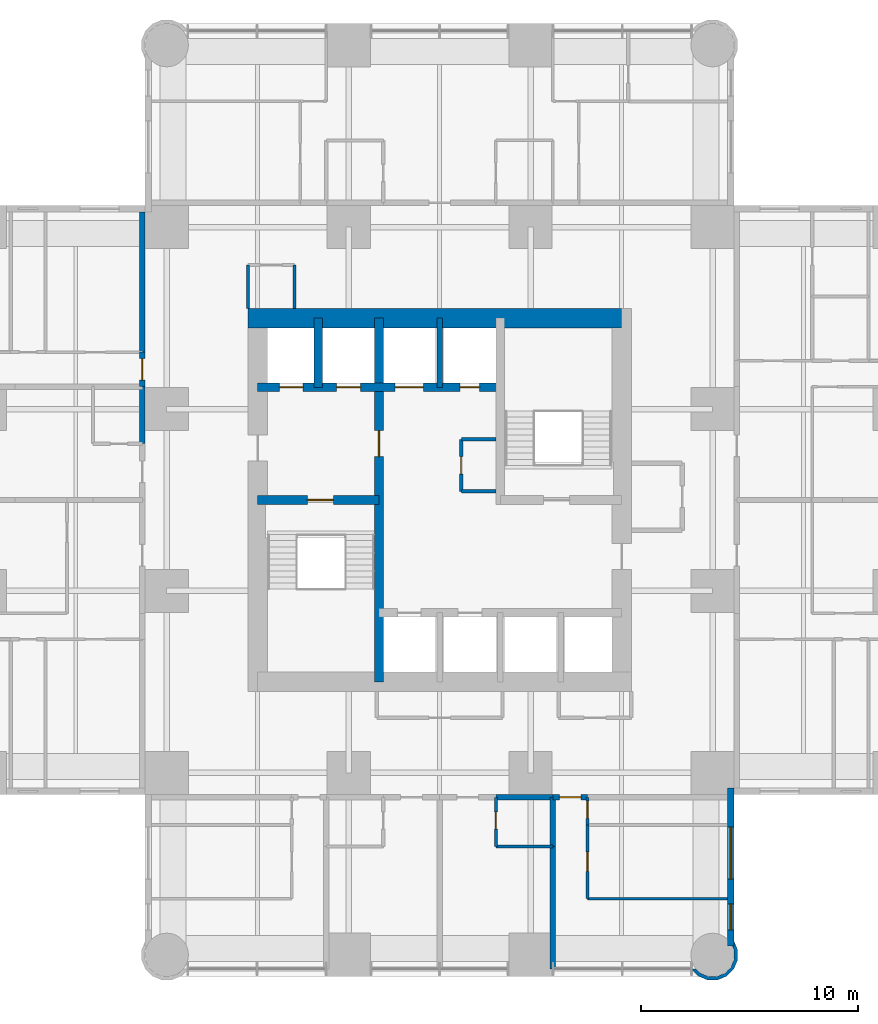
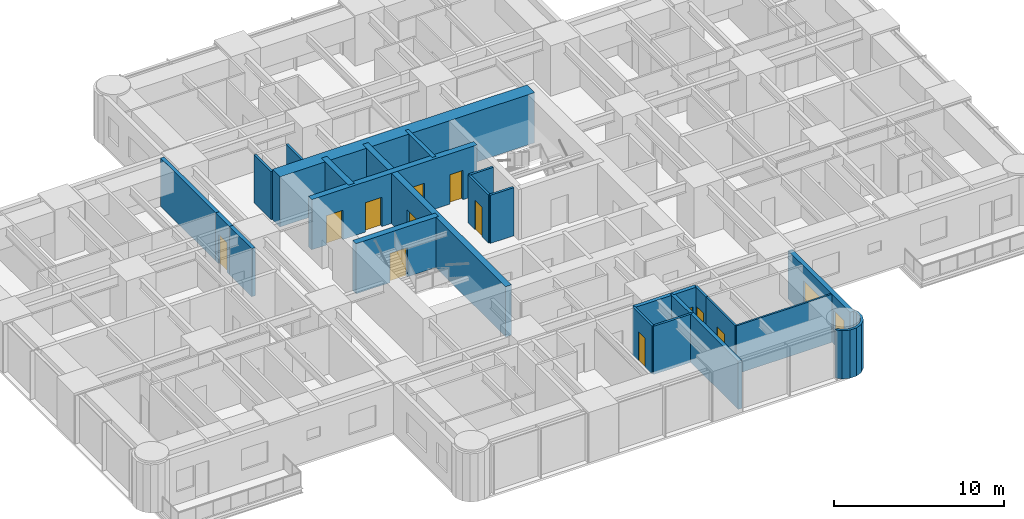
# One storey, part 8 of 14: 25 walls, 12 doors, 2 windows, 14 openings.
"""IFC4 building model written with IfcOpenShell, lengths in metres."""

from ifc_helpers import new_model, si_unit, direction, frame, frame_2d, origin, place, context, subcontext, project, spatial, polyline, rectangle, outline, extrude, material, layer, layer_set, type_object, element, fill, save


model = new_model("IFC4")

# Units and contexts
model_context = context("Model", 3, precision=1e-05, world=origin(), true_north=direction((0.0, 1.0)))
body_context = subcontext(model_context, "Body", "Model", "MODEL_VIEW")
ifc_project = project(units=[si_unit("LENGTHUNIT", "METRE"), si_unit("AREAUNIT", "SQUARE_METRE"), si_unit("VOLUMEUNIT", "CUBIC_METRE"), si_unit("PLANEANGLEUNIT", "RADIAN"), si_unit("MASSUNIT", "GRAM", prefix="KILO")], contexts=[model_context])

# Site, building, storey
site_placement = place(None, origin())
site = spatial("IfcSite", under=ifc_project, at=site_placement, CompositionType="ELEMENT")
building_placement = place(site_placement, origin())
building = spatial("IfcBuilding", under=site, at=building_placement, Name="Torre Alcanfor", CompositionType="ELEMENT")
storey_placement = place(building_placement, frame((0.0, 0.0, 112.5)))
storey = spatial("IfcBuildingStorey", under=building, at=storey_placement, Name="L28", CompositionType="ELEMENT", Elevation=112.5)

# Wall
ifc_material_1 = material(Name="Concrete block masonry, hollow blocks NMX-C-404 9 MPa", Category="masonry")
ifc_layer_1 = layer(ifc_material_1, 0.25)
ifc_layer_set_1 = layer_set([ifc_layer_1], Name="Apartment entrance wall 250 EI 60")
wall_type_1 = type_object("IfcWallType", Name="Apartment entrance wall 250 EI 60", PredefinedType="PARTITIONING", material=ifc_layer_set_1)
wall_1_placement = place(storey_placement, frame((34.62890625, 15.675048828125, 0.0), z_axis=(0.0, 0.0, 1.0), x_axis=(-1.0, 0.0, 0.0)))
element("IfcWall", 1, at=wall_1_placement, inside=storey, type_object=wall_type_1, Name="Partition L28-CORR / L28-S1A-BATH", PredefinedType="PARTITIONING", context=body_context, shape_type="SweptSolid", body=[
    extrude(rectangle(XDim=2.62890625, YDim=0.25, at=frame_2d((1.314453125, 0.0))), origin(), (0.0, 0.0, 1.0), 3.449951171875),
])

# Wall, opening, door
wall_2_placement = place(storey_placement, frame((36.22900390625, 15.675048828125, 0.0), z_axis=(0.0, 0.0, 1.0), x_axis=(-1.0, 0.0, 0.0)))
wall_2 = element("IfcWall", 2, at=wall_2_placement, inside=storey, type_object=wall_type_1, Name="Partition L28-CORR / L28-S1B-LIVING", PredefinedType="PARTITIONING", context=body_context, shape_type="SweptSolid", body=[
    extrude(rectangle(XDim=1.60009765625, YDim=0.25, at=frame_2d((0.800048828125, 0.0))), origin(), (0.0, 0.0, 1.0), 3.449951171875),
])
opening_1_placement = place(wall_2_placement, frame((0.300048828125, 0.0, 0.0)))
opening_1 = element("IfcOpeningElement", 3, at=opening_1_placement, cuts=wall_2, Name="Opening D-A1", PredefinedType="OPENING", context=body_context, shape_type="SweptSolid", body=[
    extrude(rectangle(XDim=1.0, YDim=2.10009765625, at=frame_2d((0.5, 1.050048828125))), frame((0.0, 0.135009765625, 0.0), z_axis=(0.0, -1.0, 0.0), x_axis=(1.0, 0.0, 0.0)), (0.0, 0.0, 1.0), 0.27001953125),
])
ifc_material_2 = material(Name="Galvanised steel sheet ASTM A653", Category="steel")
door_type_1 = type_object("IfcDoorType", Name="Apartment entrance door FD60 1000x2100", OperationType="SINGLE_SWING_LEFT", PredefinedType="DOOR", material=ifc_material_2)
door_1_placement = place(opening_1_placement, origin())
door_1 = element("IfcDoor", 4, at=door_1_placement, inside=storey, type_object=door_type_1, Name="Apartment entrance L28-S1B", OperationType="SINGLE_SWING_LEFT", OverallHeight=2.10009765625, OverallWidth=1.0, PredefinedType="DOOR", context=body_context, shape_type="SweptSolid", body=[
    extrude(rectangle(XDim=1.0, YDim=2.10009765625, at=frame_2d((0.5, 1.050048828125))), frame((0.0, 0.02490234375, 0.0), z_axis=(0.0, -1.0, 0.0), x_axis=(1.0, 0.0, 0.0)), (0.0, 0.0, 1.0), 0.050048828125),
])
fill(opening_1, door_1)

# Wall
wall_3_placement = place(storey_placement, frame((15.675048828125, 32.0, 0.0), z_axis=(0.0, 0.0, 1.0), x_axis=(0.0, 1.0, 0.0)))
element("IfcWall", 5, at=wall_3_placement, inside=storey, type_object=wall_type_1, Name="Partition L28-CORR / L28-W2A-BATH", PredefinedType="PARTITIONING", context=body_context, shape_type="SweptSolid", body=[
    extrude(rectangle(XDim=2.62890625, YDim=0.25, at=frame_2d((1.314453125, 0.0))), origin(), (0.0, 0.0, 1.0), 3.449951171875),
])

# Wall, opening, door
wall_4_placement = place(storey_placement, frame((15.675048828125, 34.62890625, 0.0), z_axis=(0.0, 0.0, 1.0), x_axis=(0.0, 1.0, 0.0)))
wall_4 = element("IfcWall", 6, at=wall_4_placement, inside=storey, type_object=wall_type_1, Name="Partition L28-CORR / L28-W2B-HALL", PredefinedType="PARTITIONING", context=body_context, shape_type="SweptSolid", body=[
    extrude(rectangle(XDim=1.60009765625, YDim=0.25, at=frame_2d((0.800048828125, 0.0))), origin(), (0.0, 0.0, 1.0), 3.449951171875),
])
opening_2_placement = place(wall_4_placement, frame((0.300048828125, 0.0, 0.0)))
opening_2 = element("IfcOpeningElement", 7, at=opening_2_placement, cuts=wall_4, Name="Opening D-A1", PredefinedType="OPENING", context=body_context, shape_type="SweptSolid", body=[
    extrude(rectangle(XDim=1.0, YDim=2.10009765625, at=frame_2d((0.5, 1.050048828125))), frame((0.0, 0.135009765625, 0.0), z_axis=(0.0, -1.0, 0.0), x_axis=(1.0, 0.0, 0.0)), (0.0, 0.0, 1.0), 0.27001953125),
])
door_2_placement = place(opening_2_placement, origin())
door_2 = element("IfcDoor", 8, at=door_2_placement, inside=storey, type_object=door_type_1, Name="Apartment entrance L28-W2B", OperationType="SINGLE_SWING_LEFT", OverallHeight=2.10009765625, OverallWidth=1.0, PredefinedType="DOOR", context=body_context, shape_type="SweptSolid", body=[
    extrude(rectangle(XDim=1.0, YDim=2.10009765625, at=frame_2d((0.5, 1.050048828125))), frame((0.0, 0.02490234375, 0.0), z_axis=(0.0, -1.0, 0.0), x_axis=(1.0, 0.0, 0.0)), (0.0, 0.0, 1.0), 0.050048828125),
])
fill(opening_2, door_2)

# Wall
wall_5_placement = place(storey_placement, frame((15.675048828125, 36.22900390625, 0.0), z_axis=(0.0, 0.0, 1.0), x_axis=(0.0, 1.0, 0.0)))
element("IfcWall", 9, at=wall_5_placement, inside=storey, type_object=wall_type_1, Name="Partition L28-CORR / L28-W2B-BED2", PredefinedType="PARTITIONING", context=body_context, shape_type="SweptSolid", body=[
    extrude(rectangle(XDim=6.470947265625, YDim=0.25, at=frame_2d((3.2353515625, 0.0))), origin(), (0.0, 0.0, 1.0), 3.449951171875),
])

# Wall, opening, door
ifc_material_3 = material(Name="Gypsum board on steel studs", Category="steel")
ifc_layer_2 = layer(ifc_material_3, 0.1201171875)
ifc_layer_set_2 = layer_set([ifc_layer_2], Name="Apartment partition 120")
wall_type_2 = type_object("IfcWallType", Name="Apartment partition 120", PredefinedType="PARTITIONING", material=ifc_layer_set_2)
wall_6_placement = place(storey_placement, frame((36.22900390625, 14.39990234375, 0.0), z_axis=(0.0, 0.0, 1.0), x_axis=(0.0, -1.0, 0.0)))
wall_6 = element("IfcWall", 10, at=wall_6_placement, inside=storey, type_object=wall_type_2, Name="Partition L28-S1B-LIVING / L28-S1B-MASTER", PredefinedType="PARTITIONING", context=body_context, shape_type="SweptSolid", body=[
    extrude(rectangle(XDim=3.39990234375, YDim=0.1201171875, at=frame_2d((1.699951171875, 0.0))), origin(), (0.0, 0.0, 1.0), 3.449951171875),
])
opening_3_placement = place(wall_6_placement, frame((1.25, 0.0, 0.0)))
opening_3 = element("IfcOpeningElement", 11, at=opening_3_placement, cuts=wall_6, Name="Opening D-R1", PredefinedType="OPENING", context=body_context, shape_type="SweptSolid", body=[
    extrude(rectangle(XDim=0.89990234375, YDim=2.10009765625, at=frame_2d((0.449951171875, 1.050048828125))), frame((0.0, 0.070068359375, 0.0), z_axis=(0.0, -1.0, 0.0), x_axis=(1.0, 0.0, 0.0)), (0.0, 0.0, 1.0), 0.14013671875),
])
ifc_material_4 = material(Name="Timber", Category="wood")
door_type_2 = type_object("IfcDoorType", Name="Internal door 900x2100", OperationType="SINGLE_SWING_LEFT", PredefinedType="DOOR", material=ifc_material_4)
door_3_placement = place(opening_3_placement, origin())
door_3 = element("IfcDoor", 12, at=door_3_placement, inside=storey, type_object=door_type_2, Name="Door L28-S1B master", OperationType="SINGLE_SWING_LEFT", OverallHeight=2.10009765625, OverallWidth=0.89990234375, PredefinedType="DOOR", context=body_context, shape_type="SweptSolid", body=[
    extrude(rectangle(XDim=0.89990234375, YDim=2.10009765625, at=frame_2d((0.449951171875, 1.050048828125))), frame((0.0, 0.02490234375, 0.0), z_axis=(0.0, -1.0, 0.0), x_axis=(1.0, 0.0, 0.0)), (0.0, 0.0, 1.0), 0.050048828125),
])
fill(opening_3, door_3)

# Wall
wall_7_placement = place(storey_placement, frame((36.22900390625, 11.0, 0.0), z_axis=(0.0, 0.0, 1.0), x_axis=(1.0, 0.0, 0.0)))
element("IfcWall", 13, at=wall_7_placement, inside=storey, type_object=wall_type_2, Name="Partition L28-S1B-LIVING / L28-S1B-MASTER", PredefinedType="PARTITIONING", context=body_context, shape_type="SweptSolid", body=[
    extrude(rectangle(XDim=6.470947265625, YDim=0.1201171875, at=frame_2d((3.2353515625, 0.0))), origin(), (0.0, 0.0, 1.0), 3.449951171875),
])

# Wall, opening, door
ifc_material_5 = material(Name="Concrete f'c 70 MPa", Category="concrete")
ifc_layer_3 = layer(ifc_material_5, 0.39990234375)
ifc_layer_set_3 = layer_set([ifc_layer_3], Name="Core inner wall 400 f'c70")
wall_type_3 = type_object("IfcWallType", Name="Core inner wall 400 f'c70", PredefinedType="SHEAR", material=ifc_layer_set_3)
wall_8_placement = place(storey_placement, frame((26.60009765625, 21.0, 0.0), z_axis=(0.0, 0.0, 1.0), x_axis=(0.0, 1.0, 0.0)))
wall_8 = element("IfcWall", 14, at=wall_8_placement, inside=storey, type_object=wall_type_3, Name="Core wall X266 L28", PredefinedType="SHEAR", context=body_context, shape_type="SweptSolid", body=[
    extrude(rectangle(XDim=16.800048828125, YDim=0.39990234375, at=frame_2d((8.39990234375, 0.0))), origin(), (0.0, 0.0, 1.0), 3.60009765625),
])
opening_4_placement = place(wall_8_placement, frame((10.39990234375, 0.0, 0.0)))
opening_4 = element("IfcOpeningElement", 15, at=opening_4_placement, cuts=wall_8, Name="Opening D-L1", PredefinedType="OPENING", context=body_context, shape_type="SweptSolid", body=[
    extrude(rectangle(XDim=1.199951171875, YDim=2.10009765625, at=frame_2d((0.60009765625, 1.050048828125))), frame((0.0, 0.2099609375, 0.0), z_axis=(0.0, -1.0, 0.0), x_axis=(1.0, 0.0, 0.0)), (0.0, 0.0, 1.0), 0.419921875),
])
ifc_material_6 = material(Name="Galvanised steel sheet ASTM A653", Category="steel")
door_type_3 = type_object("IfcDoorType", Name="Lobby door FD120 1200x2100", OperationType="SINGLE_SWING_LEFT", PredefinedType="DOOR", material=ifc_material_6)
door_4_placement = place(opening_4_placement, origin())
door_4 = element("IfcDoor", 16, at=door_4_placement, inside=storey, type_object=door_type_3, Name="Lift lobby door L28", OperationType="SINGLE_SWING_LEFT", OverallHeight=2.10009765625, OverallWidth=1.199951171875, PredefinedType="DOOR", context=body_context, shape_type="SweptSolid", body=[
    extrude(rectangle(XDim=1.199951171875, YDim=2.10009765625, at=frame_2d((0.60009765625, 1.050048828125))), frame((0.0, 0.02490234375, 0.0), z_axis=(0.0, -1.0, 0.0), x_axis=(1.0, 0.0, 0.0)), (0.0, 0.0, 1.0), 0.050048828125),
])
fill(opening_4, door_4)

wall_9_placement = place(storey_placement, frame((21.0, 29.39990234375, 0.0), z_axis=(0.0, 0.0, 1.0), x_axis=(1.0, 0.0, 0.0)))
wall_9 = element("IfcWall", 17, at=wall_9_placement, inside=storey, type_object=wall_type_3, Name="Core wall Y294W L28", PredefinedType="SHEAR", context=body_context, shape_type="SweptSolid", body=[
    extrude(rectangle(XDim=5.60009765625, YDim=0.39990234375, at=frame_2d((2.800048828125, 0.0))), origin(), (0.0, 0.0, 1.0), 3.60009765625),
])
opening_5_placement = place(wall_9_placement, frame((2.300048828125, 0.0, 0.0)))
opening_5 = element("IfcOpeningElement", 18, at=opening_5_placement, cuts=wall_9, Name="Opening D-S2", PredefinedType="OPENING", context=body_context, shape_type="SweptSolid", body=[
    extrude(rectangle(XDim=1.199951171875, YDim=2.10009765625, at=frame_2d((0.60009765625, 1.050048828125))), frame((0.0, 0.2099609375, 0.0), z_axis=(0.0, -1.0, 0.0), x_axis=(1.0, 0.0, 0.0)), (0.0, 0.0, 1.0), 0.419921875),
])
ifc_material_7 = material(Name="Galvanised steel sheet ASTM A653", Category="steel")
door_type_4 = type_object("IfcDoorType", Name="Stair enclosure door FD120 1200x2100", OperationType="SINGLE_SWING_LEFT", PredefinedType="DOOR", material=ifc_material_7)
door_5_placement = place(opening_5_placement, frame((1.199951171875, 0.0, 0.0), z_axis=(0.0, 0.0, 1.0), x_axis=(-1.0, 0.0, 0.0)))
door_5 = element("IfcDoor", 19, at=door_5_placement, inside=storey, type_object=door_type_4, Name="Stair S1 door L28", OperationType="SINGLE_SWING_LEFT", OverallHeight=2.10009765625, OverallWidth=1.199951171875, PredefinedType="DOOR", context=body_context, shape_type="SweptSolid", body=[
    extrude(rectangle(XDim=1.199951171875, YDim=2.10009765625, at=frame_2d((0.599853515625, 1.050048828125))), frame((0.0, 0.025146484375, 0.0), z_axis=(0.0, -1.0, 0.0), x_axis=(1.0, 0.0, 0.0)), (0.0, 0.0, 1.0), 0.050048828125),
])
fill(opening_5, door_5)

# Wall, openings, doors
wall_10_placement = place(storey_placement, frame((21.0, 34.60009765625, 0.0), z_axis=(0.0, 0.0, 1.0), x_axis=(1.0, 0.0, 0.0)))
wall_10 = element("IfcWall", 20, at=wall_10_placement, inside=storey, type_object=wall_type_3, Name="Core wall Y346 L28", PredefinedType="SHEAR", context=body_context, shape_type="SweptSolid", body=[
    extrude(rectangle(XDim=11.199951171875, YDim=0.39990234375, at=frame_2d((5.60009765625, 0.0))), origin(), (0.0, 0.0, 1.0), 3.60009765625),
])
opening_6_placement = place(wall_10_placement, frame((9.35009765625, 0.0, 0.0)))
opening_6 = element("IfcOpeningElement", 21, at=opening_6_placement, cuts=wall_10, Name="Opening D-Q1", PredefinedType="OPENING", context=body_context, shape_type="SweptSolid", body=[
    extrude(rectangle(XDim=0.89990234375, YDim=2.10009765625, at=frame_2d((0.449951171875, 1.050048828125))), frame((0.0, 0.2099609375, 0.0), z_axis=(0.0, -1.0, 0.0), x_axis=(1.0, 0.0, 0.0)), (0.0, 0.0, 1.0), 0.419921875),
])
opening_7_placement = place(wall_10_placement, frame((1.0, 0.0, 0.0)))
opening_7 = element("IfcOpeningElement", 22, at=opening_7_placement, cuts=wall_10, Name="Opening LD2", PredefinedType="OPENING", context=body_context, shape_type="SweptSolid", body=[
    extrude(rectangle(XDim=1.10009765625, YDim=2.10009765625, at=frame_2d((0.550048828125, 1.050048828125))), frame((0.0, 0.2099609375, 0.0), z_axis=(0.0, -1.0, 0.0), x_axis=(1.0, 0.0, 0.0)), (0.0, 0.0, 1.0), 0.419921875),
])
opening_8_placement = place(wall_10_placement, frame((3.64990234375, 0.0, 0.0)))
opening_8 = element("IfcOpeningElement", 23, at=opening_8_placement, cuts=wall_10, Name="Opening LD2", PredefinedType="OPENING", context=body_context, shape_type="SweptSolid", body=[
    extrude(rectangle(XDim=1.10009765625, YDim=2.10009765625, at=frame_2d((0.550048828125, 1.050048828125))), frame((0.0, 0.2099609375, 0.0), z_axis=(0.0, -1.0, 0.0), x_axis=(1.0, 0.0, 0.0)), (0.0, 0.0, 1.0), 0.419921875),
])
opening_9_placement = place(wall_10_placement, frame((6.35009765625, 0.0, 0.0)))
opening_9 = element("IfcOpeningElement", 24, at=opening_9_placement, cuts=wall_10, Name="Opening LD3", PredefinedType="OPENING", context=body_context, shape_type="SweptSolid", body=[
    extrude(rectangle(XDim=1.300048828125, YDim=2.10009765625, at=frame_2d((0.64990234375, 1.050048828125))), frame((0.0, 0.2099609375, 0.0), z_axis=(0.0, -1.0, 0.0), x_axis=(1.0, 0.0, 0.0)), (0.0, 0.0, 1.0), 0.419921875),
])
ifc_material_8 = material(Name="Galvanised steel sheet ASTM A653", Category="steel")
door_type_5 = type_object("IfcDoorType", Name="Firefighting lift landing door 1100x2100", OperationType="DOUBLE_DOOR_SLIDING", PredefinedType="DOOR", material=ifc_material_8)
door_6_placement = place(opening_7_placement, origin())
door_6 = element("IfcDoor", 25, at=door_6_placement, inside=storey, type_object=door_type_5, Name="Lift landing door FL1 L28", OperationType="DOUBLE_DOOR_SLIDING", OverallHeight=2.10009765625, OverallWidth=1.10009765625, PredefinedType="DOOR", context=body_context, shape_type="SweptSolid", body=[
    extrude(rectangle(XDim=1.10009765625, YDim=2.10009765625, at=frame_2d((0.550048828125, 1.050048828125))), frame((0.0, 0.02490234375, 0.0), z_axis=(0.0, -1.0, 0.0), x_axis=(1.0, 0.0, 0.0)), (0.0, 0.0, 1.0), 0.050048828125),
])
fill(opening_7, door_6)
door_7_placement = place(opening_8_placement, origin())
door_7 = element("IfcDoor", 26, at=door_7_placement, inside=storey, type_object=door_type_5, Name="Lift landing door FL2 L28", OperationType="DOUBLE_DOOR_SLIDING", OverallHeight=2.10009765625, OverallWidth=1.10009765625, PredefinedType="DOOR", context=body_context, shape_type="SweptSolid", body=[
    extrude(rectangle(XDim=1.10009765625, YDim=2.10009765625, at=frame_2d((0.550048828125, 1.050048828125))), frame((0.0, 0.02490234375, 0.0), z_axis=(0.0, -1.0, 0.0), x_axis=(1.0, 0.0, 0.0)), (0.0, 0.0, 1.0), 0.050048828125),
])
fill(opening_8, door_7)
ifc_material_9 = material(Name="Galvanised steel sheet ASTM A653", Category="steel")
door_type_6 = type_object("IfcDoorType", Name="Riser access door FD120 900x2100", OperationType="SINGLE_SWING_LEFT", PredefinedType="DOOR", material=ifc_material_9)
door_8_placement = place(opening_6_placement, origin())
door_8 = element("IfcDoor", 27, at=door_8_placement, inside=storey, type_object=door_type_6, Name="Riser door L28", OperationType="SINGLE_SWING_LEFT", OverallHeight=2.10009765625, OverallWidth=0.89990234375, PredefinedType="DOOR", context=body_context, shape_type="SweptSolid", body=[
    extrude(rectangle(XDim=0.89990234375, YDim=2.10009765625, at=frame_2d((0.449951171875, 1.050048828125))), frame((0.0, 0.02490234375, 0.0), z_axis=(0.0, -1.0, 0.0), x_axis=(1.0, 0.0, 0.0)), (0.0, 0.0, 1.0), 0.050048828125),
])
fill(opening_6, door_8)
ifc_material_10 = material(Name="Galvanised steel sheet ASTM A653", Category="steel")
door_type_7 = type_object("IfcDoorType", Name="Service lift landing door 1300x2100", OperationType="DOUBLE_DOOR_SLIDING", PredefinedType="DOOR", material=ifc_material_10)
door_9_placement = place(opening_9_placement, origin())
door_9 = element("IfcDoor", 28, at=door_9_placement, inside=storey, type_object=door_type_7, Name="Lift landing door SL1 L28", OperationType="DOUBLE_DOOR_SLIDING", OverallHeight=2.10009765625, OverallWidth=1.300048828125, PredefinedType="DOOR", context=body_context, shape_type="SweptSolid", body=[
    extrude(rectangle(XDim=1.300048828125, YDim=2.10009765625, at=frame_2d((0.64990234375, 1.050048828125))), frame((0.0, 0.02490234375, 0.0), z_axis=(0.0, -1.0, 0.0), x_axis=(1.0, 0.0, 0.0)), (0.0, 0.0, 1.0), 0.050048828125),
])
fill(opening_9, door_9)

# Walls
wall_11_placement = place(storey_placement, frame((23.800048828125, 34.60009765625, 0.0), z_axis=(0.0, 0.0, 1.0), x_axis=(0.0, 1.0, 0.0)))
element("IfcWall", 29, at=wall_11_placement, inside=storey, type_object=wall_type_3, Name="Core wall X238 L28", PredefinedType="SHEAR", context=body_context, shape_type="SweptSolid", body=[
    extrude(rectangle(XDim=3.199951171875, YDim=0.39990234375, at=frame_2d((1.60009765625, 0.0))), origin(), (0.0, 0.0, 1.0), 3.60009765625),
])
ifc_material_11 = material(Name="Concrete f'c 70 MPa", Category="concrete")
ifc_layer_4 = layer(ifc_material_11, 0.25)
ifc_layer_set_4 = layer_set([ifc_layer_4], Name="Core shaft wall 250 f'c70")
wall_type_4 = type_object("IfcWallType", Name="Core shaft wall 250 f'c70", PredefinedType="SHEAR", material=ifc_layer_set_4)
wall_12_placement = place(storey_placement, frame((29.39990234375, 34.60009765625, 0.0), z_axis=(0.0, 0.0, 1.0), x_axis=(0.0, 1.0, 0.0)))
element("IfcWall", 30, at=wall_12_placement, inside=storey, type_object=wall_type_4, Name="Core wall X294N L28", PredefinedType="SHEAR", context=body_context, shape_type="SweptSolid", body=[
    extrude(rectangle(XDim=3.199951171875, YDim=0.25, at=frame_2d((1.60009765625, 0.0))), origin(), (0.0, 0.0, 1.0), 3.60009765625),
])
ifc_material_12 = material(Name="Concrete f'c 70 MPa", Category="concrete")
ifc_layer_5 = layer(ifc_material_12, 0.89990234375)
ifc_layer_set_5 = layer_set([ifc_layer_5], Name="Core wall 900 f'c70")
wall_type_5 = type_object("IfcWallType", Name="Core wall 900 f'c70", PredefinedType="SHEAR", material=ifc_layer_set_5)
wall_13_placement = place(storey_placement, frame((37.800048828125, 37.800048828125, 0.0), z_axis=(0.0, 0.0, 1.0), x_axis=(-1.0, 0.0, 0.0)))
element("IfcWall", 31, at=wall_13_placement, inside=storey, type_object=wall_type_5, Name="Core wall OUT-N L28", PredefinedType="SHEAR", context=body_context, shape_type="SweptSolid", body=[
    extrude(rectangle(XDim=17.25, YDim=0.89990234375, at=frame_2d((8.625, 0.0))), origin(), (0.0, 0.0, 1.0), 3.60009765625),
])

# Wall, openings, windows
ifc_material_13 = material(Name="Limestone cladding", Category="masonry")
ifc_layer_6 = layer(ifc_material_13, 0.0400390625, Name="Facing")
ifc_material_14 = material(Name="Ventilated air cavity")
ifc_layer_7 = layer(ifc_material_14, 0.02001953125, ventilated=True, Name="Ventilated joint")
ifc_material_15 = material(Name="Mineral wool insulation", Category="insulation")
ifc_layer_8 = layer(ifc_material_15, 0.10009765625, Name="Insulation")
ifc_material_16 = material(Name="Concrete f'c 35 MPa", Category="concrete")
ifc_layer_9 = layer(ifc_material_16, 0.139892578125, Name="Backing")
ifc_layer_set_6 = layer_set([ifc_layer_6, ifc_layer_7, ifc_layer_8, ifc_layer_9], Name="External wall stone-clad 300")
wall_type_6 = type_object("IfcWallType", Name="External wall stone-clad 300", PredefinedType="SOLIDWALL", material=ifc_layer_set_6)
wall_14_placement = place(storey_placement, frame((42.85009765625, 8.800048828125, 0.0), z_axis=(0.0, 0.0, 1.0), x_axis=(0.0, 1.0, 0.0)))
wall_14 = element("IfcWall", 32, at=wall_14_placement, inside=storey, type_object=wall_type_6, Name="External wall L28 6", PredefinedType="SOLIDWALL", context=body_context, shape_type="SweptSolid", body=[
    extrude(rectangle(XDim=7.300048828125, YDim=0.300048828125, at=frame_2d((3.64990234375, 0.0))), origin(), (0.0, 0.0, 1.0), 3.449951171875),
])
opening_10_placement = place(wall_14_placement, frame((3.10009765625, 0.0, 0.89990234375)))
opening_10 = element("IfcOpeningElement", 33, at=opening_10_placement, cuts=wall_14, Name="Opening W1", PredefinedType="OPENING", context=body_context, shape_type="SweptSolid", body=[
    extrude(rectangle(XDim=2.39990234375, YDim=1.5, at=frame_2d((1.199951171875, 0.75))), frame((0.0, 0.159912109375, 0.0), z_axis=(0.0, -1.0, 0.0), x_axis=(1.0, 0.0, 0.0)), (0.0, 0.0, 1.0), 0.320068359375),
])
opening_11_placement = place(wall_14_placement, frame((0.75, 0.0, 0.89990234375)))
opening_11 = element("IfcOpeningElement", 34, at=opening_11_placement, cuts=wall_14, Name="Opening W4", PredefinedType="OPENING", context=body_context, shape_type="SweptSolid", body=[
    extrude(rectangle(XDim=1.199951171875, YDim=1.5, at=frame_2d((0.60009765625, 0.75))), frame((0.0, 0.159912109375, 0.0), z_axis=(0.0, -1.0, 0.0), x_axis=(1.0, 0.0, 0.0)), (0.0, 0.0, 1.0), 0.320068359375),
])
ifc_material_17 = material(Name="Aluminium frame with clear double glazing", Category="aluminium")
window_type_1 = type_object("IfcWindowType", Name="Window bedroom 1200x1500", PartitioningType="SINGLE_PANEL", PredefinedType="WINDOW", material=ifc_material_17)
window_1_placement = place(opening_11_placement, origin())
window_1 = element("IfcWindow", 35, at=window_1_placement, inside=storey, type_object=window_type_1, Name="Window W4 L28-S1", OverallHeight=1.5, OverallWidth=1.199951171875, PartitioningType="SINGLE_PANEL", PredefinedType="WINDOW", context=body_context, shape_type="SweptSolid", body=[
    extrude(rectangle(XDim=1.199951171875, YDim=1.5, at=frame_2d((0.60009765625, 0.75))), frame((0.0, 0.030029296875, 0.0), z_axis=(0.0, -1.0, 0.0), x_axis=(1.0, 0.0, 0.0)), (0.0, 0.0, 1.0), 0.06005859375),
])
fill(opening_11, window_1)
ifc_material_18 = material(Name="Aluminium frame with clear double glazing", Category="aluminium")
window_type_2 = type_object("IfcWindowType", Name="Window bedroom 2400x1500", PartitioningType="SINGLE_PANEL", PredefinedType="WINDOW", material=ifc_material_18)
window_2_placement = place(opening_10_placement, origin())
window_2 = element("IfcWindow", 36, at=window_2_placement, inside=storey, type_object=window_type_2, Name="Window W1 L28-S1", OverallHeight=1.5, OverallWidth=2.39990234375, PartitioningType="SINGLE_PANEL", PredefinedType="WINDOW", context=body_context, shape_type="SweptSolid", body=[
    extrude(rectangle(XDim=2.39990234375, YDim=1.5, at=frame_2d((1.199951171875, 0.75))), frame((0.0, 0.030029296875, 0.0), z_axis=(0.0, -1.0, 0.0), x_axis=(1.0, 0.0, 0.0)), (0.0, 0.0, 1.0), 0.06005859375),
])
fill(opening_10, window_2)

# Walls
ifc_material_19 = material(Name="Concrete block masonry, hollow blocks NMX-C-404 9 MPa", Category="masonry")
ifc_layer_10 = layer(ifc_material_19, 0.25)
ifc_layer_set_7 = layer_set([ifc_layer_10], Name="Party wall 250 EI 60")
wall_type_7 = type_object("IfcWallType", Name="Party wall 250 EI 60", PredefinedType="PARTITIONING", material=ifc_layer_set_7)
wall_15_placement = place(storey_placement, frame((34.62890625, 13.39990234375, 0.0), z_axis=(0.0, 0.0, 1.0), x_axis=(0.0, -1.0, 0.0)))
element("IfcWall", 37, at=wall_15_placement, inside=storey, type_object=wall_type_7, Name="Partition L28-S1A-STUDIO / L28-S1B-LIVING", PredefinedType="PARTITIONING", context=body_context, shape_type="SweptSolid", body=[
    extrude(rectangle(XDim=5.64990234375, YDim=0.25, at=frame_2d((2.824951171875, 0.0))), origin(), (0.0, 0.0, 1.0), 3.449951171875),
])
wall_16_placement = place(storey_placement, frame((34.62890625, 13.39990234375, 0.0), z_axis=(0.0, 0.0, 1.0), x_axis=(0.0, 1.0, 0.0)))
element("IfcWall", 38, at=wall_16_placement, inside=storey, type_object=wall_type_7, Name="Partition L28-S1A-BATH / L28-S1B-LIVING", PredefinedType="PARTITIONING", context=body_context, shape_type="SweptSolid", body=[
    extrude(rectangle(XDim=2.275146484375, YDim=0.25, at=frame_2d((1.1376953125, 0.0))), origin(), (0.0, 0.0, 1.0), 3.449951171875),
])
ifc_material_20 = material(Name="Concrete block masonry, hollow blocks NMX-C-404 9 MPa", Category="masonry")
ifc_layer_11 = layer(ifc_material_20, 0.14990234375)
ifc_layer_set_8 = layer_set([ifc_layer_11], Name="Residents' room partition 150")
wall_type_8 = type_object("IfcWallType", Name="Residents' room partition 150", PredefinedType="PARTITIONING", material=ifc_layer_set_8)
for number, where, z_axis, x_axis, name in (
    (39, (22.699951171875, 38.25, 0.0), (0.0, 0.0, 1.0), (0.0, 1.0, 0.0), "Partition L28-CORR / L28-G01"),
    (40, (20.550048828125, 40.25, 0.0), (0.0, 0.0, 1.0), (0.0, -1.0, 0.0), "Partition L28-CORR / L28-G01"),
):
    element("IfcWall", number, at=place(storey_placement, frame(where, z_axis=z_axis, x_axis=x_axis)), inside=storey, type_object=wall_type_8, Name=name, PredefinedType="PARTITIONING", context=body_context, shape_type="SweptSolid", body=[
        extrude(rectangle(XDim=2.0, YDim=0.14990234375, at=frame_2d((1.0, 0.0))), origin(), (0.0, 0.0, 1.0), 3.449951171875),
    ])
wall_17_placement = place(storey_placement, frame((32.0, 29.800048828125, 0.0), z_axis=(0.0, 0.0, 1.0), x_axis=(-1.0, 0.0, 0.0)))
element("IfcWall", 41, at=wall_17_placement, inside=storey, type_object=wall_type_8, Name="Partition L28-LL / L28-CR1", PredefinedType="PARTITIONING", context=body_context, shape_type="SweptSolid", body=[
    extrude(rectangle(XDim=1.60009765625, YDim=0.14990234375, at=frame_2d((0.800048828125, 0.0))), origin(), (0.0, 0.0, 1.0), 3.449951171875),
])

# Wall, opening, door
wall_18_placement = place(storey_placement, frame((30.39990234375, 29.800048828125, 0.0), z_axis=(0.0, 0.0, 1.0), x_axis=(0.0, 1.0, 0.0)))
wall_18 = element("IfcWall", 42, at=wall_18_placement, inside=storey, type_object=wall_type_8, Name="Partition L28-LL / L28-CR1", PredefinedType="PARTITIONING", context=body_context, shape_type="SweptSolid", body=[
    extrude(rectangle(XDim=2.39990234375, YDim=0.14990234375, at=frame_2d((1.199951171875, 0.0))), origin(), (0.0, 0.0, 1.0), 3.449951171875),
])
opening_12_placement = place(wall_18_placement, frame((0.800048828125, 0.0, 0.0)))
opening_12 = element("IfcOpeningElement", 43, at=opening_12_placement, cuts=wall_18, Name="Opening D-R2", PredefinedType="OPENING", context=body_context, shape_type="SweptSolid", body=[
    extrude(rectangle(XDim=0.800048828125, YDim=2.10009765625, at=frame_2d((0.39990234375, 1.050048828125))), frame((0.0, 0.0849609375, 0.0), z_axis=(0.0, -1.0, 0.0), x_axis=(1.0, 0.0, 0.0)), (0.0, 0.0, 1.0), 0.169921875),
])
ifc_material_21 = material(Name="Timber", Category="wood")
door_type_8 = type_object("IfcDoorType", Name="Bathroom door 800x2100", OperationType="SINGLE_SWING_LEFT", PredefinedType="DOOR", material=ifc_material_21)
door_10_placement = place(opening_12_placement, frame((0.800048828125, 0.0, 0.0), z_axis=(0.0, 0.0, 1.0), x_axis=(-1.0, 0.0, 0.0)))
door_10 = element("IfcDoor", 44, at=door_10_placement, inside=storey, type_object=door_type_8, Name="Cleaners' store door L28", OperationType="SINGLE_SWING_RIGHT", OverallHeight=2.10009765625, OverallWidth=0.800048828125, PredefinedType="DOOR", context=body_context, shape_type="SweptSolid", body=[
    extrude(rectangle(XDim=0.800048828125, YDim=2.10009765625, at=frame_2d((0.400146484375, 1.050048828125))), frame((0.0, 0.025146484375, 0.0), z_axis=(0.0, -1.0, 0.0), x_axis=(1.0, 0.0, 0.0)), (0.0, 0.0, 1.0), 0.050048828125),
])
fill(opening_12, door_10)

# Walls
wall_19_placement = place(storey_placement, frame((30.39990234375, 32.199951171875, 0.0), z_axis=(0.0, 0.0, 1.0), x_axis=(1.0, 0.0, 0.0)))
element("IfcWall", 45, at=wall_19_placement, inside=storey, type_object=wall_type_8, Name="Partition L28-LL / L28-CR1", PredefinedType="PARTITIONING", context=body_context, shape_type="SweptSolid", body=[
    extrude(rectangle(XDim=1.60009765625, YDim=0.14990234375, at=frame_2d((0.800048828125, 0.0))), origin(), (0.0, 0.0, 1.0), 3.449951171875),
])
ifc_layer_12 = layer(ifc_material_13, 0.0400390625, Name="Facing")
ifc_layer_13 = layer(ifc_material_14, 0.02001953125, ventilated=True, Name="Ventilated joint")
ifc_layer_14 = layer(ifc_material_15, 0.10009765625, Name="Insulation")
ifc_layer_15 = layer(ifc_material_16, 0.139892578125, Name="Backing")
ifc_layer_set_9 = layer_set([ifc_layer_12, ifc_layer_13, ifc_layer_14, ifc_layer_15], Name="Rounded corner pier stone-clad 300")
wall_type_9 = type_object("IfcWallType", Name="Rounded corner pier stone-clad 300", PredefinedType="SOLIDWALL", material=ifc_layer_set_9)
wall_20_placement = place(storey_placement, frame((41.132476465, 7.756724852, 0.0), z_axis=(0.0, 0.0, 1.0), x_axis=(0.555974394895, -0.831199417842, 0.0)))
element("IfcWall", 46, at=wall_20_placement, inside=storey, type_object=wall_type_9, Name="Corner pier L28 16", PredefinedType="SOLIDWALL", context=body_context, shape_type="SweptSolid", body=[
    extrude(outline(polyline([(0.17108498574690434, 2.132345891404147), (0.11342823335353791, 2.066346826319491), (0.3386389453328157, 2.0214469340489503), (0.6696170338340346, 1.8000616220193866), (0.8907326344869404, 1.4688795297733332), (0.9680711298638802, 1.0781952999140485), (0.8904837757233157, 0.6877484444258126), (0.6689627277574985, 0.35656742637922195), (0.3377134419023271, 0.13579049120794148), (0.06224266940474544, 0.08095915744953744), (-0.03575867657032808, -0.06555597430881943), (0.004624302958637319, -0.09256742562327876), (0.39984692001530386, -0.014152483782431557), (0.7835599260177559, 0.2420254205252041), (1.0401008455369927, 0.6255622612776897), (1.1303777289319876, 1.0780143294079794), (1.0405398735410598, 1.5308100783409384), (0.784361969233424, 1.9145230843433905), (0.40082512848093865, 2.171064003862627), (-0.009319380088523843, 2.2530151387335655), (0.17108498574690434, 2.132345891404147)])), origin(), (0.0, 0.0, 1.0), 3.449951171875),
])

# Wall, opening, door
ifc_material_22 = material(Name="Cement board on steel studs", Category="steel")
ifc_layer_16 = layer(ifc_material_22, 0.14990234375)
ifc_layer_set_10 = layer_set([ifc_layer_16], Name="Wet area partition 150")
wall_type_10 = type_object("IfcWallType", Name="Wet area partition 150", PredefinedType="PARTITIONING", material=ifc_layer_set_10)
wall_21_placement = place(storey_placement, frame((32.0, 15.675048828125, 0.0), z_axis=(0.0, 0.0, 1.0), x_axis=(0.0, -1.0, 0.0)))
wall_21 = element("IfcWall", 47, at=wall_21_placement, inside=storey, type_object=wall_type_10, Name="Partition L28-S1A-STUDIO / L28-S1A-BATH", PredefinedType="PARTITIONING", context=body_context, shape_type="SweptSolid", body=[
    extrude(rectangle(XDim=2.275146484375, YDim=0.14990234375, at=frame_2d((1.1376953125, 0.0))), origin(), (0.0, 0.0, 1.0), 3.449951171875),
])
opening_13_placement = place(wall_21_placement, frame((0.675048828125, 0.0, 0.0)))
opening_13 = element("IfcOpeningElement", 48, at=opening_13_placement, cuts=wall_21, Name="Opening D-R2", PredefinedType="OPENING", context=body_context, shape_type="SweptSolid", body=[
    extrude(rectangle(XDim=0.800048828125, YDim=2.10009765625, at=frame_2d((0.39990234375, 1.050048828125))), frame((0.0, 0.0849609375, 0.0), z_axis=(0.0, -1.0, 0.0), x_axis=(1.0, 0.0, 0.0)), (0.0, 0.0, 1.0), 0.169921875),
])
door_11_placement = place(opening_13_placement, origin())
door_11 = element("IfcDoor", 49, at=door_11_placement, inside=storey, type_object=door_type_8, Name="Door L28-S1A bath", OperationType="SINGLE_SWING_LEFT", OverallHeight=2.10009765625, OverallWidth=0.800048828125, PredefinedType="DOOR", context=body_context, shape_type="SweptSolid", body=[
    extrude(rectangle(XDim=0.800048828125, YDim=2.10009765625, at=frame_2d((0.39990234375, 1.050048828125))), frame((0.0, 0.02490234375, 0.0), z_axis=(0.0, -1.0, 0.0), x_axis=(1.0, 0.0, 0.0)), (0.0, 0.0, 1.0), 0.050048828125),
])
fill(opening_13, door_11)

# Wall
wall_22_placement = place(storey_placement, frame((32.0, 13.39990234375, 0.0), z_axis=(0.0, 0.0, 1.0), x_axis=(1.0, 0.0, 0.0)))
element("IfcWall", 50, at=wall_22_placement, inside=storey, type_object=wall_type_10, Name="Partition L28-S1A-STUDIO / L28-S1A-BATH", PredefinedType="PARTITIONING", context=body_context, shape_type="SweptSolid", body=[
    extrude(rectangle(XDim=2.62890625, YDim=0.14990234375, at=frame_2d((1.314453125, 0.0))), origin(), (0.0, 0.0, 1.0), 3.449951171875),
])

# Wall, opening, door
wall_23_placement = place(storey_placement, frame((36.22900390625, 15.675048828125, 0.0), z_axis=(0.0, 0.0, 1.0), x_axis=(0.0, -1.0, 0.0)))
wall_23 = element("IfcWall", 51, at=wall_23_placement, inside=storey, type_object=wall_type_10, Name="Partition L28-S1B-LIVING / L28-S1B-BATH", PredefinedType="PARTITIONING", context=body_context, shape_type="SweptSolid", body=[
    extrude(rectangle(XDim=1.275146484375, YDim=0.14990234375, at=frame_2d((0.6376953125, 0.0))), origin(), (0.0, 0.0, 1.0), 3.449951171875),
])
opening_14_placement = place(wall_23_placement, frame((0.175048828125, 0.0, 0.0)))
opening_14 = element("IfcOpeningElement", 52, at=opening_14_placement, cuts=wall_23, Name="Opening D-R2", PredefinedType="OPENING", context=body_context, shape_type="SweptSolid", body=[
    extrude(rectangle(XDim=0.800048828125, YDim=2.10009765625, at=frame_2d((0.39990234375, 1.050048828125))), frame((0.0, 0.0849609375, 0.0), z_axis=(0.0, -1.0, 0.0), x_axis=(1.0, 0.0, 0.0)), (0.0, 0.0, 1.0), 0.169921875),
])
door_12_placement = place(opening_14_placement, origin())
door_12 = element("IfcDoor", 53, at=door_12_placement, inside=storey, type_object=door_type_8, Name="Door L28-S1B bath", OperationType="SINGLE_SWING_LEFT", OverallHeight=2.10009765625, OverallWidth=0.800048828125, PredefinedType="DOOR", context=body_context, shape_type="SweptSolid", body=[
    extrude(rectangle(XDim=0.800048828125, YDim=2.10009765625, at=frame_2d((0.39990234375, 1.050048828125))), frame((0.0, 0.02490234375, 0.0), z_axis=(0.0, -1.0, 0.0), x_axis=(1.0, 0.0, 0.0)), (0.0, 0.0, 1.0), 0.050048828125),
])
fill(opening_14, door_12)

save(model, "model.ifc")
